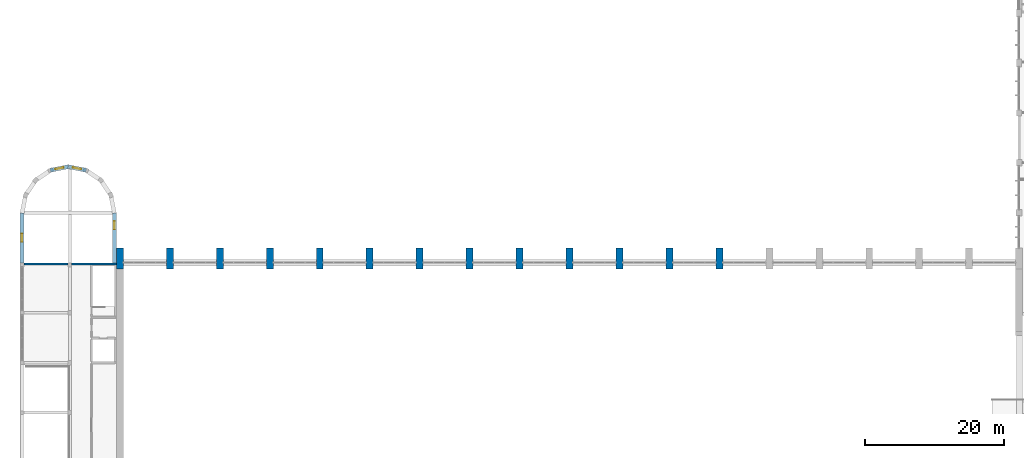
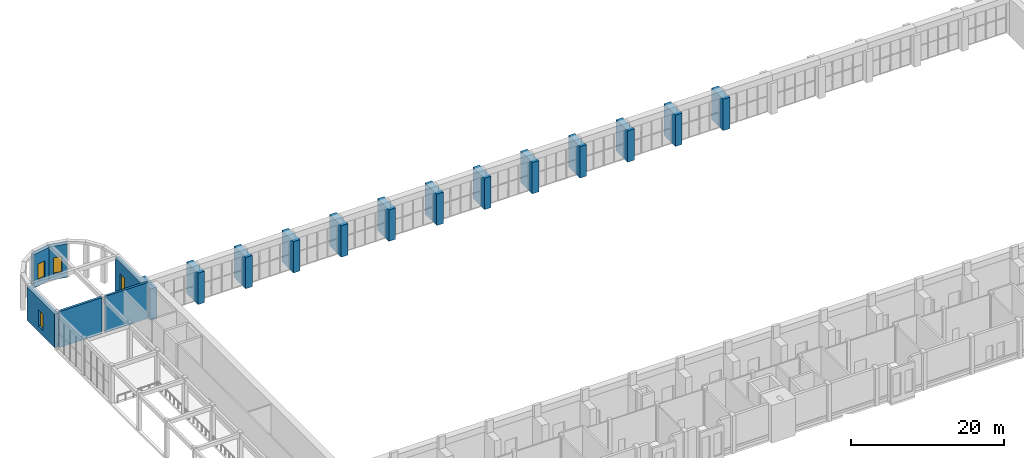
# One storey, part 31 of 44: 19 walls, 4 windows, 4 openings.
"""IFC4 building model written with IfcOpenShell, lengths in metres."""

from ifc_helpers import new_model, si_unit, direction, frame, frame_2d, origin, place, context, subcontext, project, spatial, rectangle, extrude, material, layer, layer_set, type_object, element, fill, save


model = new_model("IFC4")

# Units and contexts
model_context = context("Model", 3, precision=1e-05, world=origin(), true_north=direction((0.0, 1.0)))
body_context = subcontext(model_context, "Body", "Model", "MODEL_VIEW")
ifc_project = project(units=[si_unit("LENGTHUNIT", "METRE"), si_unit("AREAUNIT", "SQUARE_METRE"), si_unit("VOLUMEUNIT", "CUBIC_METRE"), si_unit("PLANEANGLEUNIT", "RADIAN"), si_unit("MASSUNIT", "GRAM", prefix="KILO")], contexts=[model_context])

# Site, building, storey
site_placement = place(None, origin())
site = spatial("IfcSite", under=ifc_project, at=site_placement, CompositionType="ELEMENT")
building_placement = place(site_placement, origin())
building = spatial("IfcBuilding", under=site, at=building_placement, Name="Vermilion Court Aquatics Centre", CompositionType="ELEMENT")
storey_placement = place(building_placement, frame((0.0, 0.0, 6.0)))
storey = spatial("IfcBuildingStorey", under=building, at=storey_placement, Name="L01", CompositionType="ELEMENT", Elevation=6.0)

# Walls
ifc_material_1 = material(Name="Brick masonry", Category="masonry")
ifc_layer_1 = layer(ifc_material_1, 0.35009765625)
ifc_layer_set_1 = layer_set([ifc_layer_1], Name="Foyer brick wall 350")
wall_type_1 = type_object("IfcWallType", Name="Foyer brick wall 350", PredefinedType="SOLIDWALL", material=ifc_layer_set_1)
wall_1_placement = place(storey_placement, frame((0.550048828125, 64.625, 0.0), z_axis=(0.0, 0.0, 1.0), x_axis=(1.0, 0.0, 0.0)))
element("IfcWall", 1, at=wall_1_placement, inside=storey, type_object=wall_type_1, Name="Foyer brick wall", PredefinedType="SOLIDWALL", context=body_context, shape_type="SweptSolid", body=[
    extrude(rectangle(XDim=6.39990234375, YDim=0.35009765625, at=frame_2d((3.199951171875, 0.0))), origin(), (0.0, 0.0, 1.0), 5.75),
])
wall_2_placement = place(storey_placement, frame((7.449951171875, 64.625, 0.0), z_axis=(0.0, 0.0, 1.0), x_axis=(1.0, 0.0, 0.0)))
element("IfcWall", 2, at=wall_2_placement, inside=storey, type_object=wall_type_1, Name="Foyer brick wall", PredefinedType="SOLIDWALL", context=body_context, shape_type="SweptSolid", body=[
    extrude(rectangle(XDim=6.449951171875, YDim=0.35009765625, at=frame_2d((3.22509765625, 0.0))), origin(), (0.0, 0.0, 1.0), 5.75),
])
ifc_material_2 = material(Name="Concrete 5000 psi", Category="concrete")
ifc_layer_2 = layer(ifc_material_2, 1.0)
ifc_layer_set_2 = layer_set([ifc_layer_2], Name="Roof buttress pier")
wall_type_2 = type_object("IfcWallType", Name="Roof buttress pier", PredefinedType="SOLIDWALL", material=ifc_layer_set_2)
for number, where, z_axis, x_axis, name in (
    (3, (14.39990234375, 63.89990234375, 0.0), (0.0, 0.0, 1.0), (0.0, 1.0, 0.0), "Buttress pier BPN01"),
    (4, (21.60009765625, 63.89990234375, 0.0), (0.0, 0.0, 1.0), (0.0, 1.0, 0.0), "Buttress pier BPN02"),
    (5, (28.800048828125, 63.89990234375, 0.0), (0.0, 0.0, 1.0), (0.0, 1.0, 0.0), "Buttress pier BPN03"),
    (6, (36.0, 63.89990234375, 0.0), (0.0, 0.0, 1.0), (0.0, 1.0, 0.0), "Buttress pier BPN04"),
    (7, (43.199951171875, 63.89990234375, 0.0), (0.0, 0.0, 1.0), (0.0, 1.0, 0.0), "Buttress pier BPN05"),
    (8, (50.39990234375, 63.89990234375, 0.0), (0.0, 0.0, 1.0), (0.0, 1.0, 0.0), "Buttress pier BPN06"),
    (9, (57.60009765625, 63.89990234375, 0.0), (0.0, 0.0, 1.0), (0.0, 1.0, 0.0), "Buttress pier BPN07"),
    (10, (64.800048828125, 63.89990234375, 0.0), (0.0, 0.0, 1.0), (0.0, 1.0, 0.0), "Buttress pier BPN08"),
    (11, (72.0, 63.89990234375, 0.0), (0.0, 0.0, 1.0), (0.0, 1.0, 0.0), "Buttress pier BPN09"),
    (12, (79.199951171875, 63.89990234375, 0.0), (0.0, 0.0, 1.0), (0.0, 1.0, 0.0), "Buttress pier BPN10"),
    (13, (86.39990234375, 63.89990234375, 0.0), (0.0, 0.0, 1.0), (0.0, 1.0, 0.0), "Buttress pier BPN11"),
    (14, (93.60009765625, 63.89990234375, 0.0), (0.0, 0.0, 1.0), (0.0, 1.0, 0.0), "Buttress pier BPN12"),
    (15, (100.800048828125, 63.89990234375, 0.0), (0.0, 0.0, 1.0), (0.0, 1.0, 0.0), "Buttress pier BPN13"),
):
    element("IfcWall", number, at=place(storey_placement, frame(where, z_axis=z_axis, x_axis=x_axis)), inside=storey, type_object=wall_type_2, Name=name, PredefinedType="SOLIDWALL", context=body_context, shape_type="SweptSolid", body=[
        extrude(rectangle(XDim=3.0, YDim=1.0, at=frame_2d((1.5, 0.0))), origin(), (0.0, 0.0, 1.0), 5.0),
    ])

# Wall, opening, window
ifc_material_3 = material(Name="Brick masonry", Category="masonry")
ifc_layer_3 = layer(ifc_material_3, 0.60009765625)
ifc_layer_set_3 = layer_set([ifc_layer_3], Name="Rotunda brick wall 600")
wall_type_3 = type_object("IfcWallType", Name="Rotunda brick wall 600", PredefinedType="SOLIDWALL", material=ifc_layer_set_3)
wall_3_placement = place(storey_placement, frame((4.348876953125, 78.126708984375, 0.0), z_axis=(0.0, 0.0, 1.0), x_axis=(0.980784441987, 0.195094536973, 0.0)))
wall_3 = element("IfcWall", 16, at=wall_3_placement, inside=storey, type_object=wall_type_3, Name="Rotunda brick wall", PredefinedType="SOLIDWALL", context=body_context, shape_type="SweptSolid", body=[
    extrude(rectangle(XDim=2.711669921875, YDim=0.60009765625, at=frame_2d((1.35595703125, 0.0))), origin(), (0.0, 0.0, 1.0), 5.35009765625),
])
opening_1_placement = place(wall_3_placement, frame((0.755859375, 0.0, 0.89990234375)))
opening_1 = element("IfcOpeningElement", 17, at=opening_1_placement, cuts=wall_3, Name="Opening HRT7", PredefinedType="OPENING", context=body_context, shape_type="SweptSolid", body=[
    extrude(rectangle(XDim=1.199951171875, YDim=2.60009765625, at=frame_2d((0.60009765625, 1.300048828125))), frame((0.0, 0.31005859375, 0.0), z_axis=(0.0, -1.0, 0.0), x_axis=(1.0, 0.0, 0.0)), (0.0, 0.0, 1.0), 0.6201171875),
])
ifc_material_4 = material(Name="Aluminium 6063-T5", Category="aluminium")
window_type = type_object("IfcWindowType", Name="Rotunda window 1200x2600", PartitioningType="DOUBLE_PANEL_VERTICAL", PredefinedType="WINDOW", material=ifc_material_4)
window_1_placement = place(opening_1_placement, origin())
window_1 = element("IfcWindow", 18, at=window_1_placement, inside=storey, type_object=window_type, Name="Rotunda window", OverallHeight=2.60009765625, OverallWidth=1.199951171875, PartitioningType="DOUBLE_PANEL_VERTICAL", PredefinedType="WINDOW", context=body_context, shape_type="SweptSolid", body=[
    extrude(rectangle(XDim=1.199951171875, YDim=2.60009765625, at=frame_2d((0.60009765625, 1.300048828125))), frame((0.0, 0.030029296875, 0.0), z_axis=(0.0, -1.0, 0.0), x_axis=(1.0, 0.0, 0.0)), (0.0, 0.0, 1.0), 0.06005859375),
])
fill(opening_1, window_1)

wall_4_placement = place(storey_placement, frame((6.8916015625, 78.65576171875, 0.0), z_axis=(0.0, 0.0, 1.0), x_axis=(0.98078101483, -0.195111765275, 0.0)))
wall_4 = element("IfcWall", 19, at=wall_4_placement, inside=storey, type_object=wall_type_3, Name="Rotunda brick wall", PredefinedType="SOLIDWALL", context=body_context, shape_type="SweptSolid", body=[
    extrude(rectangle(XDim=2.71142578125, YDim=0.60009765625, at=frame_2d((1.355712890625, 0.0))), origin(), (0.0, 0.0, 1.0), 5.35009765625),
])
opening_2_placement = place(wall_4_placement, frame((0.755859375, 0.0, 0.89990234375)))
opening_2 = element("IfcOpeningElement", 20, at=opening_2_placement, cuts=wall_4, Name="Opening HRT7", PredefinedType="OPENING", context=body_context, shape_type="SweptSolid", body=[
    extrude(rectangle(XDim=1.199951171875, YDim=2.60009765625, at=frame_2d((0.60009765625, 1.300048828125))), frame((0.0, 0.31005859375, 0.0), z_axis=(0.0, -1.0, 0.0), x_axis=(1.0, 0.0, 0.0)), (0.0, 0.0, 1.0), 0.6201171875),
])
window_2_placement = place(opening_2_placement, origin())
window_2 = element("IfcWindow", 21, at=window_2_placement, inside=storey, type_object=window_type, Name="Rotunda window", OverallHeight=2.60009765625, OverallWidth=1.199951171875, PartitioningType="DOUBLE_PANEL_VERTICAL", PredefinedType="WINDOW", context=body_context, shape_type="SweptSolid", body=[
    extrude(rectangle(XDim=1.199951171875, YDim=2.60009765625, at=frame_2d((0.60009765625, 1.300048828125))), frame((0.0, 0.030029296875, 0.0), z_axis=(0.0, -1.0, 0.0), x_axis=(1.0, 0.0, 0.0)), (0.0, 0.0, 1.0), 0.06005859375),
])
fill(opening_2, window_2)

wall_5_placement = place(storey_placement, frame((0.300048828125, 64.75, 0.0), z_axis=(0.0, 0.0, 1.0), x_axis=(0.0, 1.0, 0.0)))
wall_5 = element("IfcWall", 22, at=wall_5_placement, inside=storey, type_object=wall_type_3, Name="Rotunda brick wall", PredefinedType="SOLIDWALL", context=body_context, shape_type="SweptSolid", body=[
    extrude(rectangle(XDim=7.25, YDim=0.60009765625, at=frame_2d((3.625, 0.0))), origin(), (0.0, 0.0, 1.0), 5.35009765625),
])
opening_3_placement = place(wall_5_placement, frame((3.050048828125, 0.0, 0.89990234375)))
opening_3 = element("IfcOpeningElement", 23, at=opening_3_placement, cuts=wall_5, Name="Opening HRT7", PredefinedType="OPENING", context=body_context, shape_type="SweptSolid", body=[
    extrude(rectangle(XDim=1.199951171875, YDim=2.60009765625, at=frame_2d((0.60009765625, 1.300048828125))), frame((0.0, 0.31005859375, 0.0), z_axis=(0.0, -1.0, 0.0), x_axis=(1.0, 0.0, 0.0)), (0.0, 0.0, 1.0), 0.6201171875),
])
window_3_placement = place(opening_3_placement, origin())
window_3 = element("IfcWindow", 24, at=window_3_placement, inside=storey, type_object=window_type, Name="Rotunda window", OverallHeight=2.60009765625, OverallWidth=1.199951171875, PartitioningType="DOUBLE_PANEL_VERTICAL", PredefinedType="WINDOW", context=body_context, shape_type="SweptSolid", body=[
    extrude(rectangle(XDim=1.199951171875, YDim=2.60009765625, at=frame_2d((0.60009765625, 1.300048828125))), frame((0.0, 0.030029296875, 0.0), z_axis=(0.0, -1.0, 0.0), x_axis=(1.0, 0.0, 0.0)), (0.0, 0.0, 1.0), 0.06005859375),
])
fill(opening_3, window_3)

wall_6_placement = place(storey_placement, frame((13.60009765625, 64.800048828125, 0.0), z_axis=(0.0, 0.0, 1.0), x_axis=(0.0, 1.0, 0.0)))
wall_6 = element("IfcWall", 25, at=wall_6_placement, inside=storey, type_object=wall_type_3, Name="Rotunda brick wall", PredefinedType="SOLIDWALL", context=body_context, shape_type="SweptSolid", body=[
    extrude(rectangle(XDim=7.199951171875, YDim=0.60009765625, at=frame_2d((3.60009765625, 0.0))), origin(), (0.0, 0.0, 1.0), 5.35009765625),
])
opening_4_placement = place(wall_6_placement, frame((4.800048828125, 0.0, 0.89990234375)))
opening_4 = element("IfcOpeningElement", 26, at=opening_4_placement, cuts=wall_6, Name="Opening HRT7", PredefinedType="OPENING", context=body_context, shape_type="SweptSolid", body=[
    extrude(rectangle(XDim=1.199951171875, YDim=2.60009765625, at=frame_2d((0.60009765625, 1.300048828125))), frame((0.0, 0.31005859375, 0.0), z_axis=(0.0, -1.0, 0.0), x_axis=(1.0, 0.0, 0.0)), (0.0, 0.0, 1.0), 0.6201171875),
])
window_4_placement = place(opening_4_placement, origin())
window_4 = element("IfcWindow", 27, at=window_4_placement, inside=storey, type_object=window_type, Name="Rotunda window", OverallHeight=2.60009765625, OverallWidth=1.199951171875, PartitioningType="DOUBLE_PANEL_VERTICAL", PredefinedType="WINDOW", context=body_context, shape_type="SweptSolid", body=[
    extrude(rectangle(XDim=1.199951171875, YDim=2.60009765625, at=frame_2d((0.60009765625, 1.300048828125))), frame((0.0, 0.030029296875, 0.0), z_axis=(0.0, -1.0, 0.0), x_axis=(1.0, 0.0, 0.0)), (0.0, 0.0, 1.0), 0.06005859375),
])
fill(opening_4, window_4)

save(model, "model.ifc")
